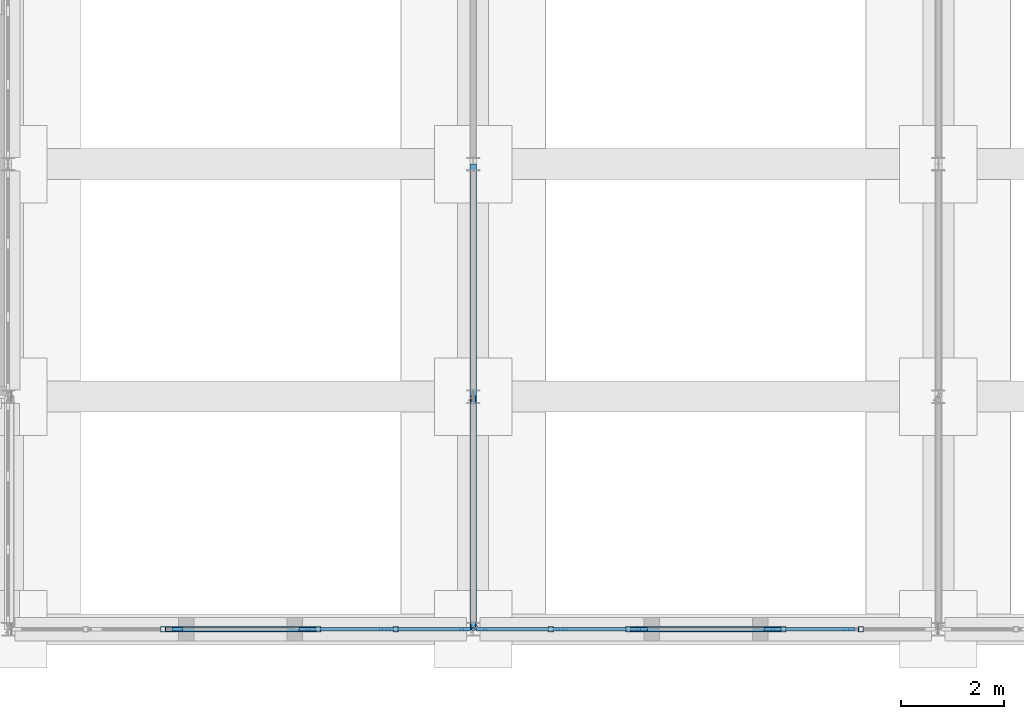
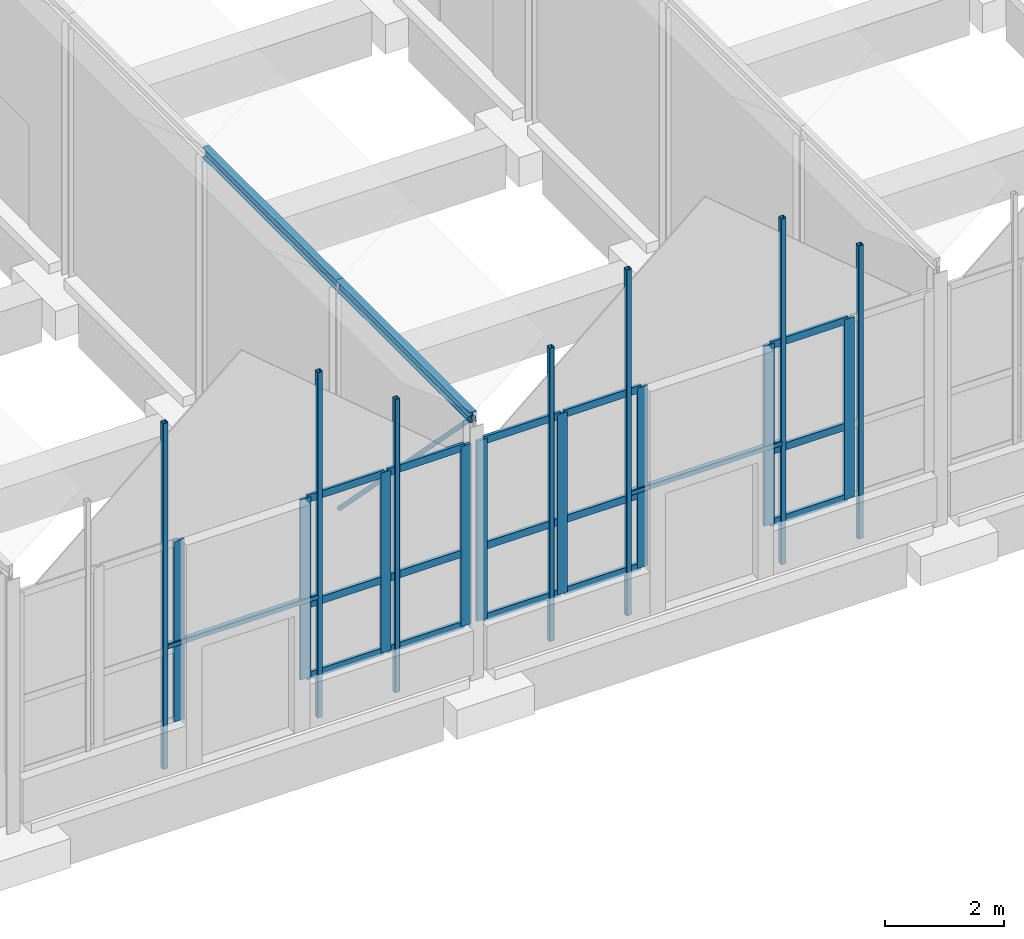
# One storey, part 42 of 106: 34 members, 2 beams, 4 elements without a shape of their own.
"""IFC4 building model written with IfcOpenShell, lengths in metres."""

from ifc_helpers import new_model, si_unit, direction, frame, origin, origin_2d, place, context, subcontext, project, spatial, rectangle, hollow_rectangle, hollow_circle, i_section, extrude, material, layer, layer_set, material_profile, profile_set, type_object, element, aggregate, save


model = new_model("IFC4")

# Units and contexts
model_context = context("Model", 3, precision=1e-05, world=origin(), true_north=direction((0.0, 1.0)))
body_context = subcontext(model_context, "Body", "Model", "MODEL_VIEW")
ifc_project = project(units=[si_unit("LENGTHUNIT", "METRE"), si_unit("AREAUNIT", "SQUARE_METRE"), si_unit("VOLUMEUNIT", "CUBIC_METRE"), si_unit("PLANEANGLEUNIT", "RADIAN"), si_unit("MASSUNIT", "GRAM", prefix="KILO")], contexts=[model_context])

# Site, building, storey
site_placement = place(None, origin())
site = spatial("IfcSite", under=ifc_project, at=site_placement, CompositionType="ELEMENT")
building_placement = place(site_placement, origin())
building = spatial("IfcBuilding", under=site, at=building_placement, Name="Hortulan Conservatory and Botanical Research Centre", CompositionType="ELEMENT")
storey_placement = place(building_placement, origin())
storey = spatial("IfcBuildingStorey", under=building, at=storey_placement, Name="L00", CompositionType="ELEMENT", Elevation=0.0)

# Curtain wall, members
ifc_material_1 = material(Name="Bronze-finished aluminium", Category="aluminium")
ifc_layer = layer(ifc_material_1, 0.10009765625)
ifc_layer_set = layer_set([ifc_layer], Name="Bronze-framed Curtain Wall 1500 module")
curtain_wall_type = type_object("IfcCurtainWallType", Name="Bronze-framed Curtain Wall 1500 module", PredefinedType="NOTDEFINED", material=ifc_layer_set)
curtain_wall_1_placement = place(storey_placement, origin())
curtain_wall_1 = element("IfcCurtainWall", 1, at=curtain_wall_1_placement, inside=storey, type_object=curtain_wall_type, Name="Curtain wall", PredefinedType="NOTDEFINED")
ifc_material_profile_1 = material_profile(ifc_material_1, rectangle(XDim=0.06005859375, YDim=0.199951171875, at=origin_2d()), Name="Bronze Mullion 60x200")
ifc_profile_set_1 = profile_set([ifc_material_profile_1], Name="Bronze-finished aluminium")
member_type_1 = type_object("IfcMemberType", Name="Bronze Mullion 60x200", PredefinedType="MULLION", material=ifc_profile_set_1)
member_1_placement = place(storey_placement, frame((85.343017578125, 0.0, 0.89990234375), z_axis=(0.0, 0.0, 1.0), x_axis=(0.0, -1.0, 0.0)))
member_1 = element("IfcMember", 2, at=member_1_placement, type_object=member_type_1, Name="CW1 mullion 1", PredefinedType="MULLION", context=body_context, shape_type="SweptSolid", body=[
    extrude(rectangle(XDim=0.06005859375, YDim=0.199951171875, at=origin_2d()), origin(), (0.0, 0.0, 1.0), 3.7001953125),
])
member_2_placement = place(storey_placement, frame((83.78662109375, 0.0, 0.89990234375), z_axis=(0.0, 0.0, 1.0), x_axis=(0.0, -1.0, 0.0)))
member_2 = element("IfcMember", 3, at=member_2_placement, type_object=member_type_1, Name="CW1 mullion 2", PredefinedType="MULLION", context=body_context, shape_type="SweptSolid", body=[
    extrude(rectangle(XDim=0.06005859375, YDim=0.199951171875, at=origin_2d()), origin(), (0.0, 0.0, 1.0), 3.7001953125),
])
member_3_placement = place(storey_placement, frame((82.22998046875, 0.0, 0.89990234375), z_axis=(0.0, 0.0, 1.0), x_axis=(0.0, -1.0, 0.0)))
member_3 = element("IfcMember", 4, at=member_3_placement, type_object=member_type_1, Name="CW1 mullion 3", PredefinedType="MULLION", context=body_context, shape_type="SweptSolid", body=[
    extrude(rectangle(XDim=0.06005859375, YDim=0.199951171875, at=origin_2d()), origin(), (0.0, 0.0, 1.0), 3.7001953125),
])

# Curtain wall, member
curtain_wall_2_placement = place(storey_placement, origin())
curtain_wall_2 = element("IfcCurtainWall", 5, at=curtain_wall_2_placement, inside=storey, type_object=curtain_wall_type, Name="Curtain wall", PredefinedType="NOTDEFINED")
member_4_placement = place(storey_placement, frame((79.77001953125, 0.0, 0.89990234375), z_axis=(0.0, 0.0, 1.0), x_axis=(0.0, -1.0, 0.0)))
member_4 = element("IfcMember", 6, at=member_4_placement, type_object=member_type_1, Name="CW1 mullion 1", PredefinedType="MULLION", context=body_context, shape_type="SweptSolid", body=[
    extrude(rectangle(XDim=0.06005859375, YDim=0.199951171875, at=origin_2d()), origin(), (0.0, 0.0, 1.0), 3.7001953125),
])
aggregate(curtain_wall_2, [member_4])

# Curtain wall, members
curtain_wall_3_placement = place(storey_placement, origin())
curtain_wall_3 = element("IfcCurtainWall", 7, at=curtain_wall_3_placement, inside=storey, type_object=curtain_wall_type, Name="Curtain wall", PredefinedType="NOTDEFINED")
member_5_placement = place(storey_placement, frame((92.78662109375, 0.0, 0.89990234375), z_axis=(0.0, 0.0, 1.0), x_axis=(0.0, -1.0, 0.0)))
member_5 = element("IfcMember", 8, at=member_5_placement, type_object=member_type_1, Name="CW1 mullion 2", PredefinedType="MULLION", context=body_context, shape_type="SweptSolid", body=[
    extrude(rectangle(XDim=0.06005859375, YDim=0.199951171875, at=origin_2d()), origin(), (0.0, 0.0, 1.0), 3.7001953125),
])
member_6_placement = place(storey_placement, frame((91.22998046875, 0.0, 0.89990234375), z_axis=(0.0, 0.0, 1.0), x_axis=(0.0, -1.0, 0.0)))
member_6 = element("IfcMember", 9, at=member_6_placement, type_object=member_type_1, Name="CW1 mullion 3", PredefinedType="MULLION", context=body_context, shape_type="SweptSolid", body=[
    extrude(rectangle(XDim=0.06005859375, YDim=0.199951171875, at=origin_2d()), origin(), (0.0, 0.0, 1.0), 3.7001953125),
])

curtain_wall_4_placement = place(storey_placement, origin())
curtain_wall_4 = element("IfcCurtainWall", 10, at=curtain_wall_4_placement, inside=storey, type_object=curtain_wall_type, Name="Curtain wall", PredefinedType="NOTDEFINED")
member_7_placement = place(storey_placement, frame((88.77001953125, 0.0, 0.89990234375), z_axis=(0.0, 0.0, 1.0), x_axis=(0.0, -1.0, 0.0)))
member_7 = element("IfcMember", 11, at=member_7_placement, type_object=member_type_1, Name="CW1 mullion 1", PredefinedType="MULLION", context=body_context, shape_type="SweptSolid", body=[
    extrude(rectangle(XDim=0.06005859375, YDim=0.199951171875, at=origin_2d()), origin(), (0.0, 0.0, 1.0), 3.7001953125),
])
member_8_placement = place(storey_placement, frame((87.21337890625, 0.0, 0.89990234375), z_axis=(0.0, 0.0, 1.0), x_axis=(0.0, -1.0, 0.0)))
member_8 = element("IfcMember", 12, at=member_8_placement, type_object=member_type_1, Name="CW1 mullion 2", PredefinedType="MULLION", context=body_context, shape_type="SweptSolid", body=[
    extrude(rectangle(XDim=0.06005859375, YDim=0.199951171875, at=origin_2d()), origin(), (0.0, 0.0, 1.0), 3.7001953125),
])
member_9_placement = place(storey_placement, frame((85.656982421875, 0.0, 0.89990234375), z_axis=(0.0, 0.0, 1.0), x_axis=(0.0, -1.0, 0.0)))
member_9 = element("IfcMember", 13, at=member_9_placement, type_object=member_type_1, Name="CW1 mullion 3", PredefinedType="MULLION", context=body_context, shape_type="SweptSolid", body=[
    extrude(rectangle(XDim=0.06005859375, YDim=0.199951171875, at=origin_2d()), origin(), (0.0, 0.0, 1.0), 3.7001953125),
])

# Member
ifc_material_profile_2 = material_profile(ifc_material_1, rectangle(XDim=0.06005859375, YDim=0.14990234375, at=origin_2d()), Name="Bronze Transom 60x150")
ifc_profile_set_2 = profile_set([ifc_material_profile_2], Name="Bronze-finished aluminium")
member_type_2 = type_object("IfcMemberType", Name="Bronze Transom 60x150", PredefinedType="USERDEFINED", material=ifc_profile_set_2)
member_10_placement = place(storey_placement, frame((85.31298828125, 0.0, 0.929931640625), z_axis=(-1.0, 0.0, 0.0), x_axis=(0.0, -1.0, 0.0)))
member_10 = element("IfcMember", 14, at=member_10_placement, type_object=member_type_2, Name="CW1 transom 1.1", ObjectType="TRANSOM", PredefinedType="USERDEFINED", context=body_context, shape_type="SweptSolid", body=[
    extrude(rectangle(XDim=0.06005859375, YDim=0.14990234375, at=origin_2d()), origin(), (0.0, 0.0, 1.0), 1.49658203125),
])

member_11_placement = place(storey_placement, frame((85.31298828125, 0.0, 2.39990234375), z_axis=(-1.0, 0.0, 0.0), x_axis=(0.0, -1.0, 0.0)))
member_11 = element("IfcMember", 15, at=member_11_placement, type_object=member_type_2, Name="CW1 transom 1.2", ObjectType="TRANSOM", PredefinedType="USERDEFINED", context=body_context, shape_type="SweptSolid", body=[
    extrude(rectangle(XDim=0.06005859375, YDim=0.14990234375, at=origin_2d()), origin(), (0.0, 0.0, 1.0), 1.49658203125),
])

member_12_placement = place(storey_placement, frame((85.31298828125, 0.0, 4.570068359375), z_axis=(-1.0, 0.0, 0.0), x_axis=(0.0, -1.0, 0.0)))
member_12 = element("IfcMember", 16, at=member_12_placement, type_object=member_type_2, Name="CW1 transom 1.3", ObjectType="TRANSOM", PredefinedType="USERDEFINED", context=body_context, shape_type="SweptSolid", body=[
    extrude(rectangle(XDim=0.06005859375, YDim=0.14990234375, at=origin_2d()), origin(), (0.0, 0.0, 1.0), 1.49658203125),
])

member_13_placement = place(storey_placement, frame((83.756591796875, 0.0, 0.929931640625), z_axis=(-1.0, 0.0, 0.0), x_axis=(0.0, -1.0, 0.0)))
member_13 = element("IfcMember", 17, at=member_13_placement, type_object=member_type_2, Name="CW1 transom 2.1", ObjectType="TRANSOM", PredefinedType="USERDEFINED", context=body_context, shape_type="SweptSolid", body=[
    extrude(rectangle(XDim=0.06005859375, YDim=0.14990234375, at=origin_2d()), origin(), (0.0, 0.0, 1.0), 1.49658203125),
])

member_14_placement = place(storey_placement, frame((83.756591796875, 0.0, 2.39990234375), z_axis=(-1.0, 0.0, 0.0), x_axis=(0.0, -1.0, 0.0)))
member_14 = element("IfcMember", 18, at=member_14_placement, type_object=member_type_2, Name="CW1 transom 2.2", ObjectType="TRANSOM", PredefinedType="USERDEFINED", context=body_context, shape_type="SweptSolid", body=[
    extrude(rectangle(XDim=0.06005859375, YDim=0.14990234375, at=origin_2d()), origin(), (0.0, 0.0, 1.0), 1.49658203125),
])

member_15_placement = place(storey_placement, frame((83.756591796875, 0.0, 4.570068359375), z_axis=(-1.0, 0.0, 0.0), x_axis=(0.0, -1.0, 0.0)))
member_15 = element("IfcMember", 19, at=member_15_placement, type_object=member_type_2, Name="CW1 transom 2.3", ObjectType="TRANSOM", PredefinedType="USERDEFINED", context=body_context, shape_type="SweptSolid", body=[
    extrude(rectangle(XDim=0.06005859375, YDim=0.14990234375, at=origin_2d()), origin(), (0.0, 0.0, 1.0), 1.49658203125),
])

aggregate(curtain_wall_1, [member_1, member_2, member_3, member_10, member_11, member_12, member_13, member_14, member_15])

member_16_placement = place(storey_placement, frame((92.756591796875, 0.0, 0.929931640625), z_axis=(-1.0, 0.0, 0.0), x_axis=(0.0, -1.0, 0.0)))
member_16 = element("IfcMember", 20, at=member_16_placement, type_object=member_type_2, Name="CW1 transom 2.1", ObjectType="TRANSOM", PredefinedType="USERDEFINED", context=body_context, shape_type="SweptSolid", body=[
    extrude(rectangle(XDim=0.06005859375, YDim=0.14990234375, at=origin_2d()), origin(), (0.0, 0.0, 1.0), 1.49658203125),
])

member_17_placement = place(storey_placement, frame((92.756591796875, 0.0, 2.39990234375), z_axis=(-1.0, 0.0, 0.0), x_axis=(0.0, -1.0, 0.0)))
member_17 = element("IfcMember", 21, at=member_17_placement, type_object=member_type_2, Name="CW1 transom 2.2", ObjectType="TRANSOM", PredefinedType="USERDEFINED", context=body_context, shape_type="SweptSolid", body=[
    extrude(rectangle(XDim=0.06005859375, YDim=0.14990234375, at=origin_2d()), origin(), (0.0, 0.0, 1.0), 1.49658203125),
])

member_18_placement = place(storey_placement, frame((92.756591796875, 0.0, 4.570068359375), z_axis=(-1.0, 0.0, 0.0), x_axis=(0.0, -1.0, 0.0)))
member_18 = element("IfcMember", 22, at=member_18_placement, type_object=member_type_2, Name="CW1 transom 2.3", ObjectType="TRANSOM", PredefinedType="USERDEFINED", context=body_context, shape_type="SweptSolid", body=[
    extrude(rectangle(XDim=0.06005859375, YDim=0.14990234375, at=origin_2d()), origin(), (0.0, 0.0, 1.0), 1.49658203125),
])

aggregate(curtain_wall_3, [member_5, member_6, member_16, member_17, member_18])

member_19_placement = place(storey_placement, frame((88.739990234375, 0.0, 0.929931640625), z_axis=(-1.0, 0.0, 0.0), x_axis=(0.0, -1.0, 0.0)))
member_19 = element("IfcMember", 23, at=member_19_placement, type_object=member_type_2, Name="CW1 transom 1.1", ObjectType="TRANSOM", PredefinedType="USERDEFINED", context=body_context, shape_type="SweptSolid", body=[
    extrude(rectangle(XDim=0.06005859375, YDim=0.14990234375, at=origin_2d()), origin(), (0.0, 0.0, 1.0), 1.49658203125),
])

member_20_placement = place(storey_placement, frame((88.739990234375, 0.0, 2.39990234375), z_axis=(-1.0, 0.0, 0.0), x_axis=(0.0, -1.0, 0.0)))
member_20 = element("IfcMember", 24, at=member_20_placement, type_object=member_type_2, Name="CW1 transom 1.2", ObjectType="TRANSOM", PredefinedType="USERDEFINED", context=body_context, shape_type="SweptSolid", body=[
    extrude(rectangle(XDim=0.06005859375, YDim=0.14990234375, at=origin_2d()), origin(), (0.0, 0.0, 1.0), 1.49658203125),
])

member_21_placement = place(storey_placement, frame((88.739990234375, 0.0, 4.570068359375), z_axis=(-1.0, 0.0, 0.0), x_axis=(0.0, -1.0, 0.0)))
member_21 = element("IfcMember", 25, at=member_21_placement, type_object=member_type_2, Name="CW1 transom 1.3", ObjectType="TRANSOM", PredefinedType="USERDEFINED", context=body_context, shape_type="SweptSolid", body=[
    extrude(rectangle(XDim=0.06005859375, YDim=0.14990234375, at=origin_2d()), origin(), (0.0, 0.0, 1.0), 1.49658203125),
])

member_22_placement = place(storey_placement, frame((87.18359375, 0.0, 0.929931640625), z_axis=(-1.0, 0.0, 0.0), x_axis=(0.0, -1.0, 0.0)))
member_22 = element("IfcMember", 26, at=member_22_placement, type_object=member_type_2, Name="CW1 transom 2.1", ObjectType="TRANSOM", PredefinedType="USERDEFINED", context=body_context, shape_type="SweptSolid", body=[
    extrude(rectangle(XDim=0.06005859375, YDim=0.14990234375, at=origin_2d()), origin(), (0.0, 0.0, 1.0), 1.49658203125),
])

member_23_placement = place(storey_placement, frame((87.18359375, 0.0, 2.39990234375), z_axis=(-1.0, 0.0, 0.0), x_axis=(0.0, -1.0, 0.0)))
member_23 = element("IfcMember", 27, at=member_23_placement, type_object=member_type_2, Name="CW1 transom 2.2", ObjectType="TRANSOM", PredefinedType="USERDEFINED", context=body_context, shape_type="SweptSolid", body=[
    extrude(rectangle(XDim=0.06005859375, YDim=0.14990234375, at=origin_2d()), origin(), (0.0, 0.0, 1.0), 1.49658203125),
])

member_24_placement = place(storey_placement, frame((87.18359375, 0.0, 4.570068359375), z_axis=(-1.0, 0.0, 0.0), x_axis=(0.0, -1.0, 0.0)))
member_24 = element("IfcMember", 28, at=member_24_placement, type_object=member_type_2, Name="CW1 transom 2.3", ObjectType="TRANSOM", PredefinedType="USERDEFINED", context=body_context, shape_type="SweptSolid", body=[
    extrude(rectangle(XDim=0.06005859375, YDim=0.14990234375, at=origin_2d()), origin(), (0.0, 0.0, 1.0), 1.49658203125),
])

aggregate(curtain_wall_4, [member_7, member_8, member_9, member_19, member_20, member_21, member_22, member_23, member_24])

ifc_material_2 = material(Name="Steel Grade C350L0 (350 MPa, AS/NZS 1163)", Category="steel")
ifc_material_profile_3 = material_profile(ifc_material_2, hollow_circle(Radius=0.04443359375, WallThickness=0.005859375, at=origin_2d()), Name="88.9x5.9CHS")
ifc_profile_set_3 = profile_set([ifc_material_profile_3], Name="Steel Grade C350L0 (350 MPa, AS/NZS 1163)")
member_type_3 = type_object("IfcMemberType", Name="Climate House Bracing 88.9x5.9 CHS", PredefinedType="BRACE", material=ifc_profile_set_3)
member_25_placement = place(storey_placement, frame((85.5, 4.5, 0.5), z_axis=(0.0, -0.699021115287, 0.715101028095), x_axis=(1.0, 0.0, 0.0)))
element("IfcMember", 29, at=member_25_placement, inside=storey, type_object=member_type_3, Name="Climate house wall bracing line 2 end bay 1", PredefinedType="BRACE", context=body_context, shape_type="SweptSolid", body=[
    extrude(hollow_circle(Radius=0.04443359375, WallThickness=0.005859375, at=origin_2d()), origin(), (0.0, 0.0, 1.0), 6.4375),
])

# Beams
ifc_material_3 = material(Name="Steel Grade 300PLUS (AS/NZS 3679.1, 280 MPa minimum yield)", Category="steel")
ifc_material_profile_4 = material_profile(ifc_material_3, i_section(OverallWidth=0.134033203125, OverallDepth=0.20703125, WebThickness=0.00634765625, FlangeThickness=0.009521484375, FilletRadius=0.0087890625, at=origin_2d()), Name="200UB29.8")
ifc_profile_set_4 = profile_set([ifc_material_profile_4], Name="Steel Grade 300PLUS (AS/NZS 3679.1, 280 MPa minimum yield)")
beam_type = type_object("IfcBeamType", Name="Climate House Eaves Beam 200UB29.8", PredefinedType="BEAM", material=ifc_profile_set_4)
for number, where, z_axis, x_axis, name in (
    (30, (85.5, 0.0, 5.103515625), (0.0, 1.0, 0.0), (-1.0, 0.0, 0.0), "Climate house eaves beam line 2 bay 1"),
    (31, (85.5, 4.5, 5.103515625), (0.0, 1.0, 0.0), (-1.0, 0.0, 0.0), "Climate house eaves beam line 2 bay 2"),
):
    element("IfcBeam", number, at=place(storey_placement, frame(where, z_axis=z_axis, x_axis=x_axis)), inside=storey, type_object=beam_type, Name=name, PredefinedType="BEAM", context=body_context, shape_type="SweptSolid", body=[
        extrude(i_section(OverallWidth=0.134033203125, OverallDepth=0.20703125, WebThickness=0.00634765625, FlangeThickness=0.009521484375, FilletRadius=0.0087890625, at=origin_2d()), origin(), (0.0, 0.0, 1.0), 4.5),
    ])

# Members
ifc_material_4 = material(Name="Steel Grade C450L0 (450 MPa, AS/NZS 1163)", Category="steel")
ifc_material_profile_5 = material_profile(ifc_material_4, hollow_rectangle(XDim=0.10009765625, YDim=0.10009765625, WallThickness=0.006103515625, InnerFilletRadius=0.009033203125, OuterFilletRadius=0.014892578125, at=origin_2d()), Name="100x100x6SHS")
ifc_profile_set_5 = profile_set([ifc_material_profile_5], Name="Steel Grade C450L0 (450 MPa, AS/NZS 1163)")
member_type_4 = type_object("IfcMemberType", Name="Climate House Gable Post 100x100x6 SHS", PredefinedType="POST", material=ifc_profile_set_5)
for number, where, z_axis, x_axis, name in (
    (32, (79.5, 0.0, 0.010009765625), (0.0, 0.0, 1.0), (1.0, 0.0, 0.0), "Temperate Glasshouse gable post S 3"),
    (33, (82.5, 0.0, 0.010009765625), (0.0, 0.0, 1.0), (1.0, 0.0, 0.0), "Temperate Glasshouse gable post S 6"),
):
    element("IfcMember", number, at=place(storey_placement, frame(where, z_axis=z_axis, x_axis=x_axis)), inside=storey, type_object=member_type_4, Name=name, PredefinedType="POST", context=body_context, shape_type="SweptSolid", body=[
        extrude(hollow_rectangle(XDim=0.10009765625, YDim=0.10009765625, WallThickness=0.006103515625, InnerFilletRadius=0.009033203125, OuterFilletRadius=0.014892578125, at=origin_2d()), origin(), (0.0, 0.0, 1.0), 7.098876953125),
    ])
member_26_placement = place(storey_placement, frame((84.0, 0.0, 0.010009765625), z_axis=(0.0, 0.0, 1.0), x_axis=(1.0, 0.0, 0.0)))
element("IfcMember", 34, at=member_26_placement, inside=storey, type_object=member_type_4, Name="Temperate Glasshouse gable post S 7.5", PredefinedType="POST", context=body_context, shape_type="SweptSolid", body=[
    extrude(hollow_rectangle(XDim=0.10009765625, YDim=0.10009765625, WallThickness=0.006103515625, InnerFilletRadius=0.009033203125, OuterFilletRadius=0.014892578125, at=origin_2d()), origin(), (0.0, 0.0, 1.0), 6.0185546875),
])
member_27_placement = place(storey_placement, frame((79.5, 0.0, 2.5), z_axis=(1.0, 0.0, 0.0), x_axis=(0.0, 1.0, 0.0)))
element("IfcMember", 35, at=member_27_placement, inside=storey, type_object=member_type_4, Name="Temperate Glasshouse gable door head", PredefinedType="POST", context=body_context, shape_type="SweptSolid", body=[
    extrude(hollow_rectangle(XDim=0.10009765625, YDim=0.10009765625, WallThickness=0.006103515625, InnerFilletRadius=0.009033203125, OuterFilletRadius=0.014892578125, at=origin_2d()), origin(), (0.0, 0.0, 1.0), 3.0),
])
member_28_placement = place(storey_placement, frame((87.0, 0.0, 0.010009765625), z_axis=(0.0, 0.0, 1.0), x_axis=(1.0, 0.0, 0.0)))
element("IfcMember", 36, at=member_28_placement, inside=storey, type_object=member_type_4, Name="Arid Glasshouse gable post S 1.5", PredefinedType="POST", context=body_context, shape_type="SweptSolid", body=[
    extrude(hollow_rectangle(XDim=0.10009765625, YDim=0.10009765625, WallThickness=0.006103515625, InnerFilletRadius=0.009033203125, OuterFilletRadius=0.014892578125, at=origin_2d()), origin(), (0.0, 0.0, 1.0), 6.0185546875),
])
for number, where, z_axis, x_axis, name in (
    (37, (88.5, 0.0, 0.010009765625), (0.0, 0.0, 1.0), (1.0, 0.0, 0.0), "Arid Glasshouse gable post S 3"),
    (38, (91.5, 0.0, 0.010009765625), (0.0, 0.0, 1.0), (1.0, 0.0, 0.0), "Arid Glasshouse gable post S 6"),
):
    element("IfcMember", number, at=place(storey_placement, frame(where, z_axis=z_axis, x_axis=x_axis)), inside=storey, type_object=member_type_4, Name=name, PredefinedType="POST", context=body_context, shape_type="SweptSolid", body=[
        extrude(hollow_rectangle(XDim=0.10009765625, YDim=0.10009765625, WallThickness=0.006103515625, InnerFilletRadius=0.009033203125, OuterFilletRadius=0.014892578125, at=origin_2d()), origin(), (0.0, 0.0, 1.0), 7.098876953125),
    ])
member_29_placement = place(storey_placement, frame((93.0, 0.0, 0.010009765625), z_axis=(0.0, 0.0, 1.0), x_axis=(1.0, 0.0, 0.0)))
element("IfcMember", 39, at=member_29_placement, inside=storey, type_object=member_type_4, Name="Arid Glasshouse gable post S 7.5", PredefinedType="POST", context=body_context, shape_type="SweptSolid", body=[
    extrude(hollow_rectangle(XDim=0.10009765625, YDim=0.10009765625, WallThickness=0.006103515625, InnerFilletRadius=0.009033203125, OuterFilletRadius=0.014892578125, at=origin_2d()), origin(), (0.0, 0.0, 1.0), 6.0185546875),
])
member_30_placement = place(storey_placement, frame((88.5, 0.0, 2.5), z_axis=(1.0, 0.0, 0.0), x_axis=(0.0, 1.0, 0.0)))
element("IfcMember", 40, at=member_30_placement, inside=storey, type_object=member_type_4, Name="Arid Glasshouse gable door head", PredefinedType="POST", context=body_context, shape_type="SweptSolid", body=[
    extrude(hollow_rectangle(XDim=0.10009765625, YDim=0.10009765625, WallThickness=0.006103515625, InnerFilletRadius=0.009033203125, OuterFilletRadius=0.014892578125, at=origin_2d()), origin(), (0.0, 0.0, 1.0), 3.0),
])

save(model, "model.ifc")
